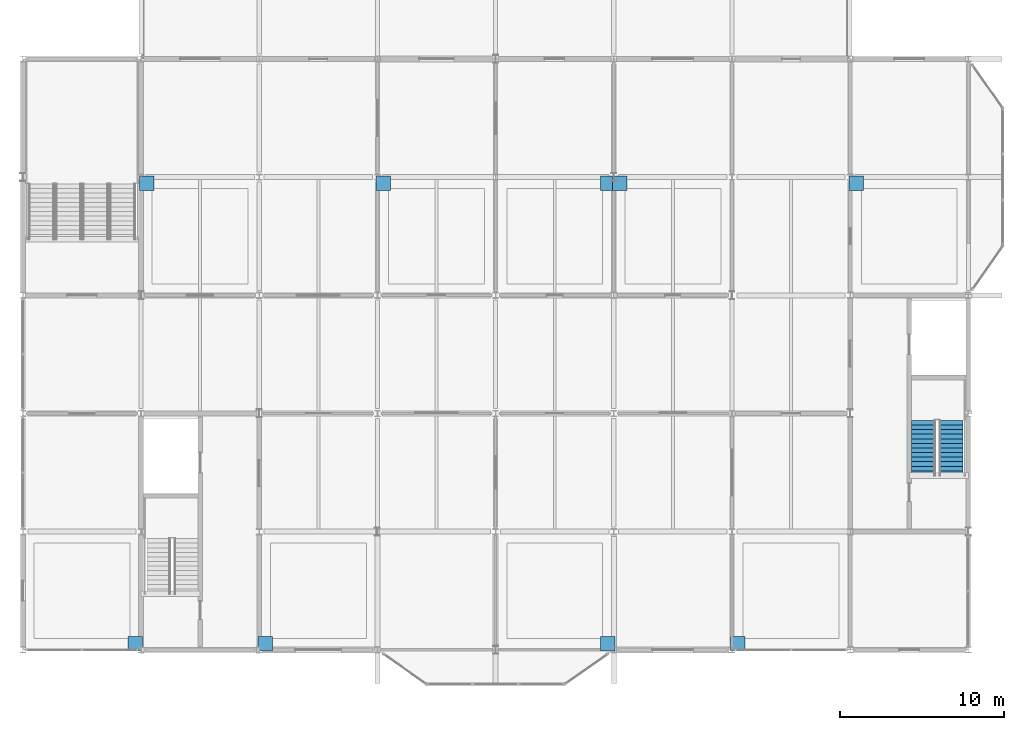
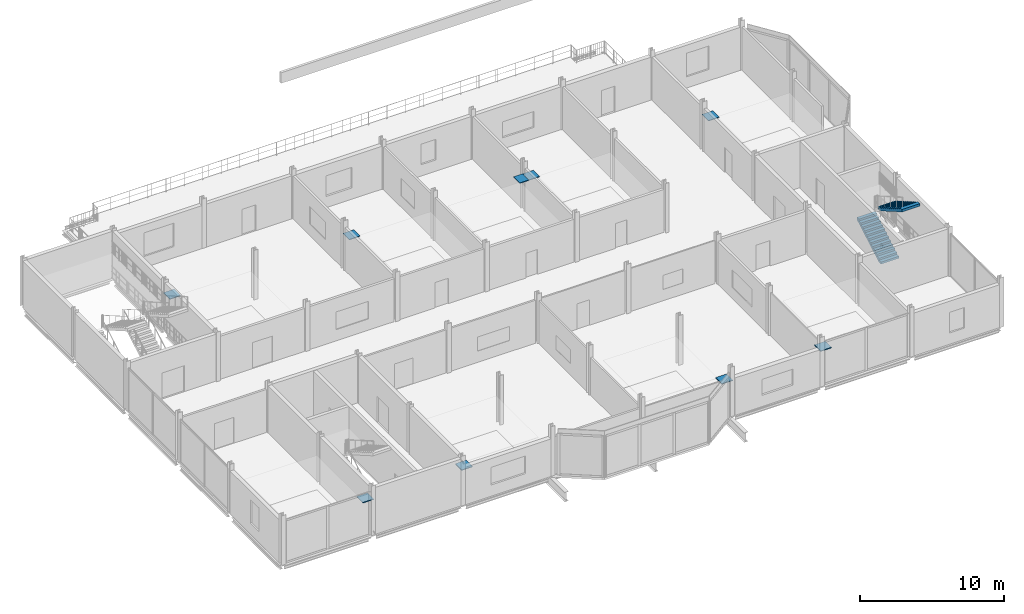
# One storey, part 22 of 26: 9 discrete accessories, 2 stair flights, 1 element without a shape of its own.
"""IFC4 building model written with IfcOpenShell, lengths in metres."""

from ifc_helpers import new_model, si_unit, direction, frame, origin, origin_2d, place, context, subcontext, project, spatial, polyline, rectangle, outline, extrude, material, type_object, element, aggregate, save


model = new_model("IFC4")

# Units and contexts
model_context = context("Model", 3, precision=1e-05, world=origin(), true_north=direction((0.0, 1.0)))
body_context = subcontext(model_context, "Body", "Model", "MODEL_VIEW")
ifc_project = project(units=[si_unit("LENGTHUNIT", "METRE"), si_unit("AREAUNIT", "SQUARE_METRE"), si_unit("VOLUMEUNIT", "CUBIC_METRE"), si_unit("PLANEANGLEUNIT", "RADIAN"), si_unit("MASSUNIT", "GRAM", prefix="KILO")], contexts=[model_context])

# Site, building, storey
site_placement = place(None, origin())
site = spatial("IfcSite", under=ifc_project, at=site_placement, CompositionType="ELEMENT")
building_placement = place(site_placement, origin())
building = spatial("IfcBuilding", under=site, at=building_placement, Name="Vesperath Aquatics Centre", CompositionType="ELEMENT")
storey_placement = place(building_placement, frame((0.0, 0.0, 19.199951171875)))
storey = spatial("IfcBuildingStorey", under=building, at=storey_placement, Name="L04", CompositionType="ELEMENT", Elevation=19.199951171875)

# Stair, stair flights
ifc_material_1 = material(Name="Concrete C35", Category="concrete")
stair_type = type_object("IfcStairType", Name="ST-HT42", PredefinedType="HALF_TURN_STAIR", material=ifc_material_1)
stair_placement = place(storey_placement, origin())
stair = element("IfcStair", 1, at=stair_placement, inside=storey, type_object=stair_type, Name="Enclosed Exit Stair ST6 L04", PredefinedType="HALF_TURN_STAIR")
stair_flight_type = type_object("IfcStairFlightType", Name="SF-F42", PredefinedType="STRAIGHT", material=ifc_material_1)
stair_flight_1_placement = place(storey_placement, frame((170.070068359375, 10.6201171875, 0.0), z_axis=(0.0, 0.0, 1.0), x_axis=(0.0, 1.0, 0.0)))
stair_flight_1 = element("IfcStairFlight", 2, at=stair_flight_1_placement, type_object=stair_flight_type, Name="Stair ST6 Flight 1 L04", NumberOfRisers=13, NumberOfTreads=12, PredefinedType="STRAIGHT", RiserHeight=0.161538, TreadLength=0.28, context=body_context, shape_type="SweptSolid", body=[
    extrude(outline(polyline([(0.0, 0.0), (0.0, 0.16162109375), (0.280029296875, 0.16162109375), (0.280029296875, 0.322998046875), (0.56005859375, 0.322998046875), (0.56005859375, 0.484619140625), (0.840087890625, 0.484619140625), (0.840087890625, 0.646240234375), (1.1201171875, 0.646240234375), (1.1201171875, 0.8076171875), (1.39990234375, 0.8076171875), (1.39990234375, 0.96923828125), (1.679931640625, 0.96923828125), (1.679931640625, 1.130859375), (1.9599609375, 1.130859375), (1.9599609375, 1.292236328125), (2.239990234375, 1.292236328125), (2.239990234375, 1.453857421875), (2.52001953125, 1.453857421875), (2.52001953125, 1.615478515625), (2.800048828125, 1.615478515625), (2.800048828125, 1.77685546875), (3.080078125, 1.77685546875), (3.080078125, 1.9384765625), (3.360107421875, 1.9384765625), (3.360107421875, 2.10009765625), (3.360107421875, 1.730712890625), (0.360107421875, 0.0), (0.0, 0.0)])), frame((0.0, 0.719970703125, 0.0), z_axis=(0.0, -1.0, 0.0), x_axis=(1.0, 0.0, 0.0)), (0.0, 0.0, 1.0), 1.43994140625),
])
stair_flight_2_placement = place(storey_placement, frame((171.75, 13.97998046875, 2.10009765625), z_axis=(0.0, 0.0, 1.0), x_axis=(0.0, -1.0, 0.0)))
stair_flight_2 = element("IfcStairFlight", 3, at=stair_flight_2_placement, type_object=stair_flight_type, Name="Stair ST6 Flight 2 L04", NumberOfRisers=13, NumberOfTreads=12, PredefinedType="STRAIGHT", RiserHeight=0.161538, TreadLength=0.28, context=body_context, shape_type="SweptSolid", body=[
    extrude(outline(polyline([(0.0, 0.0), (0.0, 0.16162109375), (0.280029296875, 0.16162109375), (0.280029296875, 0.322998046875), (0.56005859375, 0.322998046875), (0.56005859375, 0.484619140625), (0.840087890625, 0.484619140625), (0.840087890625, 0.646240234375), (1.1201171875, 0.646240234375), (1.1201171875, 0.8076171875), (1.39990234375, 0.8076171875), (1.39990234375, 0.96923828125), (1.679931640625, 0.96923828125), (1.679931640625, 1.130859375), (1.9599609375, 1.130859375), (1.9599609375, 1.292236328125), (2.239990234375, 1.292236328125), (2.239990234375, 1.453857421875), (2.52001953125, 1.453857421875), (2.52001953125, 1.615478515625), (2.800048828125, 1.615478515625), (2.800048828125, 1.77685546875), (3.080078125, 1.77685546875), (3.080078125, 1.9384765625), (3.360107421875, 1.9384765625), (3.360107421875, 2.10009765625), (3.360107421875, 1.730712890625), (0.360107421875, 0.0), (0.0, 0.0)])), frame((0.0, 0.719970703125, 0.0), z_axis=(0.0, -1.0, 0.0), x_axis=(1.0, 0.0, 0.0)), (0.0, 0.0, 1.0), 1.43994140625),
])
aggregate(stair, [stair_flight_1, stair_flight_2])

# Discrete accessories
ifc_material_2 = material(Name="Stainless steel facade anchor bracket", Category="steel")
discrete_accessory_type = type_object("IfcDiscreteAccessoryType", Name="DA-BRK01", PredefinedType="BRACKET", material=ifc_material_2)
for number, where, z_axis, x_axis, name in (
    (4, (122.0400390625, 0.360107421875, 2.919921875), (0.0, 0.0, 1.0), (1.0, 0.0, 0.0), "Ceiling Perimeter Suspension Bracket BK01 L04_SPA_REC"),
    (5, (129.9599609375, 0.360107421875, 2.919921875), (0.0, 0.0, 1.0), (1.0, 0.0, 0.0), "Ceiling Perimeter Suspension Bracket BK01 L04_SAUNA"),
    (6, (150.840087890625, 0.360107421875, 2.919921875), (0.0, 0.0, 1.0), (1.0, 0.0, 0.0), "Ceiling Perimeter Suspension Bracket BK01 L04_CRYO"),
    (7, (158.760009765625, 0.360107421875, 2.919921875), (0.0, 0.0, 1.0), (1.0, 0.0, 0.0), "Ceiling Perimeter Suspension Bracket BK01 L04_CONSULT"),
    (8, (122.760009765625, 28.43994140625, 2.919921875), (0.0, 0.0, 1.0), (1.0, 0.0, 0.0), "Ceiling Perimeter Suspension Bracket BK01 L04_SEMINAR_1"),
    (9, (137.159912109375, 28.43994140625, 2.919921875), (0.0, 0.0, 1.0), (1.0, 0.0, 0.0), "Ceiling Perimeter Suspension Bracket BK01 L04_NUTR"),
    (10, (150.840087890625, 28.43994140625, 2.919921875), (0.0, 0.0, 1.0), (1.0, 0.0, 0.0), "Ceiling Perimeter Suspension Bracket BK01 L04_MWC"),
    (11, (151.56005859375, 28.43994140625, 2.919921875), (0.0, 0.0, 1.0), (1.0, 0.0, 0.0), "Ceiling Perimeter Suspension Bracket BK01 L04_FWC"),
    (12, (165.9599609375, 28.43994140625, 2.919921875), (0.0, 0.0, 1.0), (1.0, 0.0, 0.0), "Ceiling Perimeter Suspension Bracket BK01 L04_AWC"),
):
    element("IfcDiscreteAccessory", number, at=place(storey_placement, frame(where, z_axis=z_axis, x_axis=x_axis)), inside=storey, type_object=discrete_accessory_type, Name=name, PredefinedType="BRACKET", context=body_context, shape_type="SweptSolid", body=[
        extrude(rectangle(XDim=0.8798828125, YDim=0.8798828125, at=origin_2d()), origin(), (0.0, 0.0, 1.0), 0.054931640625),
    ])

save(model, "model.ifc")
